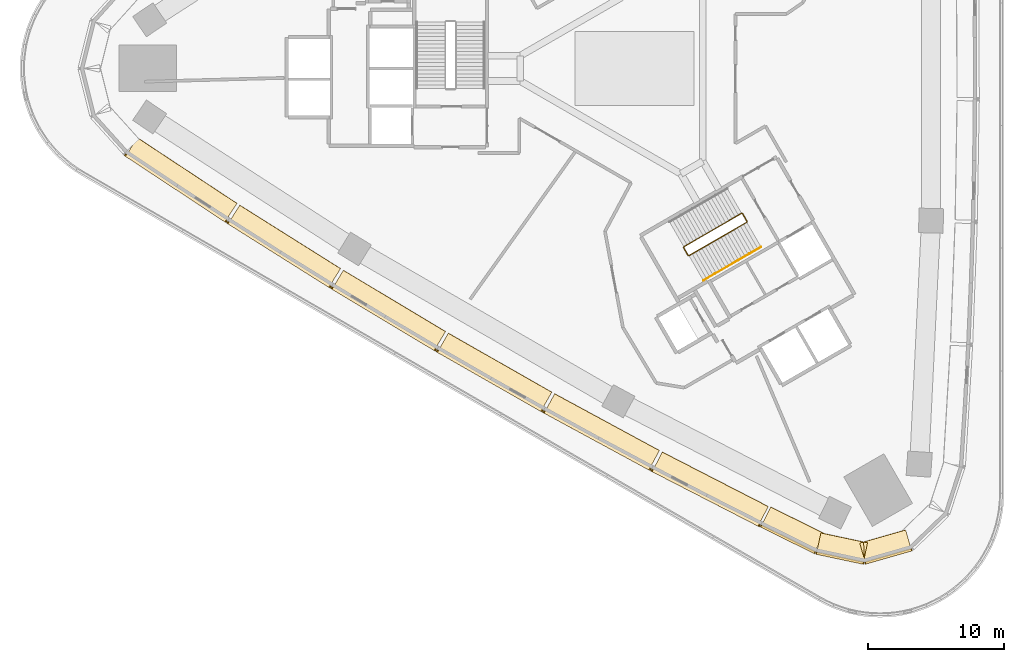
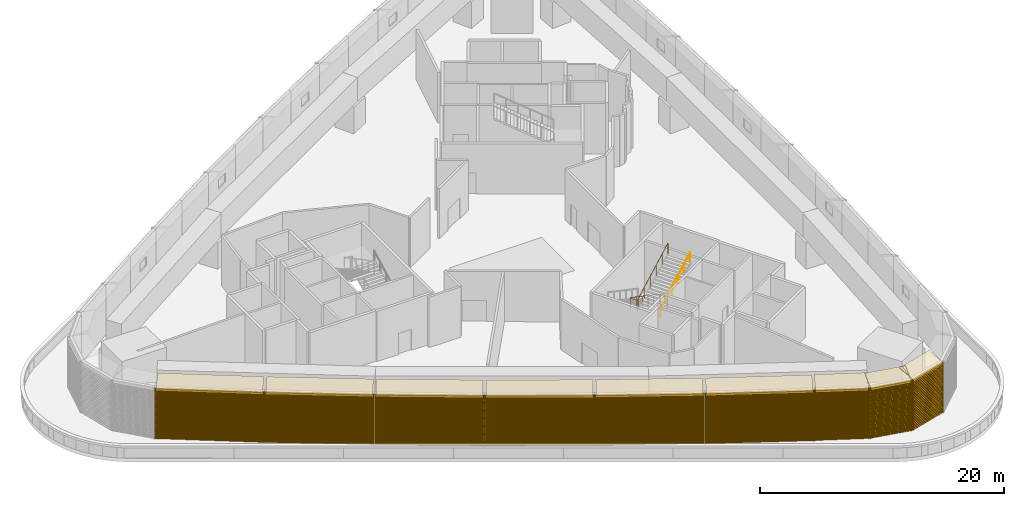
# One storey, part 8 of 11: 18 coverings, 2 railings.
"""IFC4 building model written with IfcOpenShell, lengths in metres."""

from ifc_helpers import new_model, si_unit, direction, frame, frame_2d, origin, origin_2d, place, context, subcontext, project, spatial, rectangle, circle, extrude, source, transform, mapped, material, layer, layer_set, type_object, element, save


model = new_model("IFC4")

# Units and contexts
model_context = context("Model", 3, precision=1e-05, world=origin(), true_north=direction((0.0, 1.0)))
body_context = subcontext(model_context, "Body", "Model", "MODEL_VIEW")
ifc_project = project(units=[si_unit("LENGTHUNIT", "METRE"), si_unit("AREAUNIT", "SQUARE_METRE"), si_unit("VOLUMEUNIT", "CUBIC_METRE"), si_unit("PLANEANGLEUNIT", "RADIAN"), si_unit("MASSUNIT", "GRAM", prefix="KILO")], contexts=[model_context])

# Site, building, storey
site_placement = place(None, origin())
site = spatial("IfcSite", under=ifc_project, at=site_placement, CompositionType="ELEMENT")
building_placement = place(site_placement, origin())
building = spatial("IfcBuilding", under=site, at=building_placement, Name="Tamra Quay Hotel Tower", CompositionType="ELEMENT")
storey_placement = place(building_placement, frame((0.0, 0.0, 29.5)))
storey = spatial("IfcBuildingStorey", under=building, at=storey_placement, Name="L05", CompositionType="ELEMENT", Elevation=29.5)

# Railings
ifc_material_1 = material(Name="Stair guard 1100")
railing_type_1 = type_object("IfcRailingType", Name="Stair guard 1100", PredefinedType="GUARDRAIL", material=ifc_material_1)
railing_1_placement = place(storey_placement, frame((8.245849609375, -11.221923828125, 0.0)))
element("IfcRailing", 1, at=railing_1_placement, inside=storey, type_object=railing_type_1, Name="GR", PredefinedType="GUARDRAIL", context=body_context, shape_type="SweptSolid", body=[
    extrude(circle(Radius=0.02392578125, at=origin_2d()), frame((0.0, 0.0, 1.076171875), z_axis=(-0.500043078269, 0.866000531106, 0.0), x_axis=(-0.866000531106, -0.500043078269, 0.0)), (0.0, 0.0, 1.0), 0.6591796875),
    extrude(circle(Radius=0.02392578125, at=origin_2d()), frame((-0.32958984375, 0.57080078125, 1.076171875), z_axis=(-0.424206393549, 0.113626712558, 0.898408540624), x_axis=(-0.258736085224, -0.965948051503, 0.0)), (0.0, 0.0, 1.0), 0.1611328125),
    extrude(circle(Radius=0.02392578125, at=origin_2d()), frame((-0.39794921875, 0.589111328125, 1.220703125), z_axis=(-0.764522017745, -0.441403942646, 0.469753811905), x_axis=(0.500005904428, -0.866021994834, 0.0)), (0.0, 0.0, 1.0), 5.5458984375),
    extrude(circle(Radius=0.02392578125, at=origin_2d()), frame((-4.637939453125, -1.85888671875, 3.826171875), z_axis=(-0.258736085224, -0.965948051503, 0.0), x_axis=(0.965948051503, -0.258736085224, 0.0)), (0.0, 0.0, 1.0), 0.07080078125),
    extrude(circle(Radius=0.02392578125, at=origin_2d()), frame((-4.65625, -1.92724609375, 3.826171875), z_axis=(0.500043078269, -0.866000531106, 0.0), x_axis=(0.866000531106, 0.500043078269, 0.0)), (0.0, 0.0, 1.0), 0.6591796875),
    extrude(circle(Radius=0.02392578125, at=origin_2d()), frame((-4.32666015625, -2.498046875, 3.826171875), z_axis=(0.423035241052, -0.112202895476, 0.899139419153), x_axis=(0.256368644879, 0.966579080015, 0.0)), (0.0, 0.0, 1.0), 0.1611328125),
    extrude(circle(Radius=0.02392578125, at=origin_2d()), frame((-4.258544921875, -2.51611328125, 3.970703125), z_axis=(0.764540308038, 0.441389087327, 0.46973800248), x_axis=(-0.499984312444, 0.866034460809, 0.0)), (0.0, 0.0, 1.0), 5.546142578125),
    extrude(circle(Radius=0.02099609375, at=origin_2d()), origin(), (0.0, 0.0, 1.0), 1.052001953125),
    extrude(circle(Radius=0.02099609375, at=origin_2d()), frame((-0.32958984375, 0.57080078125, 0.0)), (0.0, 0.0, 1.0), 1.052001953125),
    extrude(circle(Radius=0.02099609375, at=origin_2d()), frame((-0.39794921875, 0.589111328125, 0.144775390625)), (0.0, 0.0, 1.0), 1.052001953125),
    extrude(circle(Radius=0.02099609375, at=origin_2d()), frame((-1.245849609375, 0.099609375, 0.665771484375)), (0.0, 0.0, 1.0), 1.052001953125),
    extrude(circle(Radius=0.02099609375, at=origin_2d()), frame((-2.093994140625, -0.39013671875, 1.186767578125)), (0.0, 0.0, 1.0), 1.052001953125),
    extrude(circle(Radius=0.02099609375, at=origin_2d()), frame((-2.94189453125, -0.879638671875, 1.7080078125)), (0.0, 0.0, 1.0), 1.052001953125),
    extrude(circle(Radius=0.02099609375, at=origin_2d()), frame((-3.7900390625, -1.369384765625, 2.22900390625)), (0.0, 0.0, 1.0), 1.052001953125),
    extrude(circle(Radius=0.02099609375, at=origin_2d()), frame((-4.637939453125, -1.85888671875, 2.75)), (0.0, 0.0, 1.0), 1.052001953125),
    extrude(circle(Radius=0.02099609375, at=origin_2d()), frame((-4.65625, -1.92724609375, 2.75)), (0.0, 0.0, 1.0), 1.052001953125),
    extrude(circle(Radius=0.02099609375, at=origin_2d()), frame((-4.32666015625, -2.498046875, 2.75)), (0.0, 0.0, 1.0), 1.052001953125),
    extrude(circle(Radius=0.02099609375, at=origin_2d()), frame((-4.258544921875, -2.51611328125, 2.894775390625)), (0.0, 0.0, 1.0), 1.052001953125),
    extrude(circle(Radius=0.02099609375, at=origin_2d()), frame((-3.410400390625, -2.026611328125, 3.415771484375)), (0.0, 0.0, 1.0), 1.052001953125),
    extrude(circle(Radius=0.02099609375, at=origin_2d()), frame((-2.5625, -1.536865234375, 3.936767578125)), (0.0, 0.0, 1.0), 1.052001953125),
    extrude(circle(Radius=0.02099609375, at=origin_2d()), frame((-1.71435546875, -1.04736328125, 4.4580078125)), (0.0, 0.0, 1.0), 1.052001953125),
    extrude(circle(Radius=0.02099609375, at=origin_2d()), frame((-0.866455078125, -0.5576171875, 4.97900390625)), (0.0, 0.0, 1.0), 1.052001953125),
    extrude(circle(Radius=0.02099609375, at=origin_2d()), frame((-0.018310546875, -0.068115234375, 5.5)), (0.0, 0.0, 1.0), 1.052001953125),
])
ifc_material_2 = material(Name="Stair handrail 900")
railing_type_2 = type_object("IfcRailingType", Name="Stair handrail 900", PredefinedType="HANDRAIL", material=ifc_material_2)
railing_2_placement = place(storey_placement, frame((5.037353515625, -15.556884765625, 2.894775390625)))
element("IfcRailing", 2, at=railing_2_placement, inside=storey, type_object=railing_type_2, Name="HR", PredefinedType="HANDRAIL", context=body_context, shape_type="SweptSolid", body=[
    extrude(circle(Radius=0.02392578125, at=origin_2d()), frame((0.0, 0.0, 0.8759765625), z_axis=(0.764522017745, 0.441403942646, 0.469753811905), x_axis=(-0.500005904428, 0.866021994834, 0.0)), (0.0, 0.0, 1.0), 5.5458984375),
    extrude(circle(Radius=0.02099609375, at=origin_2d()), origin(), (0.0, 0.0, 1.0), 0.851806640625),
    extrude(circle(Radius=0.02099609375, at=origin_2d()), frame((0.847900390625, 0.489501953125, 0.52099609375)), (0.0, 0.0, 1.0), 0.851806640625),
    extrude(circle(Radius=0.02099609375, at=origin_2d()), frame((1.696044921875, 0.979248046875, 1.0419921875)), (0.0, 0.0, 1.0), 0.851806640625),
    extrude(circle(Radius=0.02099609375, at=origin_2d()), frame((2.5439453125, 1.46875, 1.563232421875)), (0.0, 0.0, 1.0), 0.851806640625),
    extrude(circle(Radius=0.02099609375, at=origin_2d()), frame((3.39208984375, 1.95849609375, 2.084228515625)), (0.0, 0.0, 1.0), 0.851806640625),
    extrude(circle(Radius=0.02099609375, at=origin_2d()), frame((4.239990234375, 2.447998046875, 2.605224609375)), (0.0, 0.0, 1.0), 0.851806640625),
])

# Coverings
ifc_material_3 = material(Name="Terracotta louvre panel", Category="masonry")
covering_type_1 = type_object("IfcCoveringType", Name="PLANT LOUVRE H5025", PredefinedType="USERDEFINED", material=ifc_material_3)
shared_shape_1 = source(origin(), body_context, "Body", "SweptSolid", [
    extrude(rectangle(XDim=8.97998046875, YDim=0.030029296875, at=frame_2d((4.489990234375, 0.01513671875))), frame((-4.489990234375, -0.030029296875, 0.0)), (0.0, 0.0, 1.0), 5.02490234375),
    extrude(rectangle(XDim=0.050048828125, YDim=0.139892578125, at=frame_2d((0.02490234375, 0.06982421875))), frame((-4.489990234375, -0.169921875, 0.0)), (0.0, 0.0, 1.0), 5.02490234375),
    extrude(rectangle(XDim=0.050048828125, YDim=0.139892578125, at=frame_2d((0.02490234375, 0.06982421875))), frame((4.43994140625, -0.169921875, 0.0)), (0.0, 0.0, 1.0), 5.02490234375),
    extrude(rectangle(XDim=8.8798828125, YDim=0.139892578125, at=frame_2d((4.43994140625, 0.06982421875))), frame((-4.43994140625, -0.169921875, 0.050048828125)), (0.0, 0.0, 1.0), 0.034912109375),
    extrude(rectangle(XDim=8.8798828125, YDim=0.139892578125, at=frame_2d((4.43994140625, 0.06982421875))), frame((-4.43994140625, -0.169921875, 0.2099609375)), (0.0, 0.0, 1.0), 0.034912109375),
    extrude(rectangle(XDim=8.8798828125, YDim=0.139892578125, at=frame_2d((4.43994140625, 0.06982421875))), frame((-4.43994140625, -0.169921875, 0.3701171875)), (0.0, 0.0, 1.0), 0.034912109375),
    extrude(rectangle(XDim=8.8798828125, YDim=0.139892578125, at=frame_2d((4.43994140625, 0.06982421875))), frame((-4.43994140625, -0.169921875, 0.530029296875)), (0.0, 0.0, 1.0), 0.034912109375),
    extrude(rectangle(XDim=8.8798828125, YDim=0.139892578125, at=frame_2d((4.43994140625, 0.06982421875))), frame((-4.43994140625, -0.169921875, 0.68994140625)), (0.0, 0.0, 1.0), 0.034912109375),
    extrude(rectangle(XDim=8.8798828125, YDim=0.139892578125, at=frame_2d((4.43994140625, 0.06982421875))), frame((-4.43994140625, -0.169921875, 0.85009765625)), (0.0, 0.0, 1.0), 0.034912109375),
    extrude(rectangle(XDim=8.8798828125, YDim=0.139892578125, at=frame_2d((4.43994140625, 0.06982421875))), frame((-4.43994140625, -0.169921875, 1.010009765625)), (0.0, 0.0, 1.0), 0.034912109375),
    extrude(rectangle(XDim=8.8798828125, YDim=0.139892578125, at=frame_2d((4.43994140625, 0.06982421875))), frame((-4.43994140625, -0.169921875, 1.169921875)), (0.0, 0.0, 1.0), 0.034912109375),
    extrude(rectangle(XDim=8.8798828125, YDim=0.139892578125, at=frame_2d((4.43994140625, 0.06982421875))), frame((-4.43994140625, -0.169921875, 1.330078125)), (0.0, 0.0, 1.0), 0.034912109375),
    extrude(rectangle(XDim=8.8798828125, YDim=0.139892578125, at=frame_2d((4.43994140625, 0.06982421875))), frame((-4.43994140625, -0.169921875, 1.489990234375)), (0.0, 0.0, 1.0), 0.034912109375),
    extrude(rectangle(XDim=8.8798828125, YDim=0.139892578125, at=frame_2d((4.43994140625, 0.06982421875))), frame((-4.43994140625, -0.169921875, 1.64990234375)), (0.0, 0.0, 1.0), 0.034912109375),
    extrude(rectangle(XDim=8.8798828125, YDim=0.139892578125, at=frame_2d((4.43994140625, 0.06982421875))), frame((-4.43994140625, -0.169921875, 1.81005859375)), (0.0, 0.0, 1.0), 0.034912109375),
    extrude(rectangle(XDim=8.8798828125, YDim=0.139892578125, at=frame_2d((4.43994140625, 0.06982421875))), frame((-4.43994140625, -0.169921875, 1.969970703125)), (0.0, 0.0, 1.0), 0.034912109375),
    extrude(rectangle(XDim=8.8798828125, YDim=0.139892578125, at=frame_2d((4.43994140625, 0.06982421875))), frame((-4.43994140625, -0.169921875, 2.1298828125)), (0.0, 0.0, 1.0), 0.034912109375),
    extrude(rectangle(XDim=8.8798828125, YDim=0.139892578125, at=frame_2d((4.43994140625, 0.06982421875))), frame((-4.43994140625, -0.169921875, 2.2900390625)), (0.0, 0.0, 1.0), 0.034912109375),
    extrude(rectangle(XDim=8.8798828125, YDim=0.139892578125, at=frame_2d((4.43994140625, 0.06982421875))), frame((-4.43994140625, -0.169921875, 2.449951171875)), (0.0, 0.0, 1.0), 0.034912109375),
    extrude(rectangle(XDim=8.8798828125, YDim=0.139892578125, at=frame_2d((4.43994140625, 0.06982421875))), frame((-4.43994140625, -0.169921875, 2.610107421875)), (0.0, 0.0, 1.0), 0.034912109375),
    extrude(rectangle(XDim=8.8798828125, YDim=0.139892578125, at=frame_2d((4.43994140625, 0.06982421875))), frame((-4.43994140625, -0.169921875, 2.77001953125)), (0.0, 0.0, 1.0), 0.034912109375),
    extrude(rectangle(XDim=8.8798828125, YDim=0.139892578125, at=frame_2d((4.43994140625, 0.06982421875))), frame((-4.43994140625, -0.169921875, 2.929931640625)), (0.0, 0.0, 1.0), 0.034912109375),
    extrude(rectangle(XDim=8.8798828125, YDim=0.139892578125, at=frame_2d((4.43994140625, 0.06982421875))), frame((-4.43994140625, -0.169921875, 3.090087890625)), (0.0, 0.0, 1.0), 0.034912109375),
    extrude(rectangle(XDim=8.8798828125, YDim=0.139892578125, at=frame_2d((4.43994140625, 0.06982421875))), frame((-4.43994140625, -0.169921875, 3.25)), (0.0, 0.0, 1.0), 0.034912109375),
    extrude(rectangle(XDim=8.8798828125, YDim=0.139892578125, at=frame_2d((4.43994140625, 0.06982421875))), frame((-4.43994140625, -0.169921875, 3.409912109375)), (0.0, 0.0, 1.0), 0.034912109375),
    extrude(rectangle(XDim=8.8798828125, YDim=0.139892578125, at=frame_2d((4.43994140625, 0.06982421875))), frame((-4.43994140625, -0.169921875, 3.570068359375)), (0.0, 0.0, 1.0), 0.034912109375),
    extrude(rectangle(XDim=8.8798828125, YDim=0.139892578125, at=frame_2d((4.43994140625, 0.06982421875))), frame((-4.43994140625, -0.169921875, 3.72998046875)), (0.0, 0.0, 1.0), 0.034912109375),
    extrude(rectangle(XDim=8.8798828125, YDim=0.139892578125, at=frame_2d((4.43994140625, 0.06982421875))), frame((-4.43994140625, -0.169921875, 3.889892578125)), (0.0, 0.0, 1.0), 0.034912109375),
    extrude(rectangle(XDim=8.8798828125, YDim=0.139892578125, at=frame_2d((4.43994140625, 0.06982421875))), frame((-4.43994140625, -0.169921875, 4.050048828125)), (0.0, 0.0, 1.0), 0.034912109375),
    extrude(rectangle(XDim=8.8798828125, YDim=0.139892578125, at=frame_2d((4.43994140625, 0.06982421875))), frame((-4.43994140625, -0.169921875, 4.2099609375)), (0.0, 0.0, 1.0), 0.034912109375),
    extrude(rectangle(XDim=8.8798828125, YDim=0.139892578125, at=frame_2d((4.43994140625, 0.06982421875))), frame((-4.43994140625, -0.169921875, 4.3701171875)), (0.0, 0.0, 1.0), 0.034912109375),
    extrude(rectangle(XDim=8.8798828125, YDim=0.139892578125, at=frame_2d((4.43994140625, 0.06982421875))), frame((-4.43994140625, -0.169921875, 4.530029296875)), (0.0, 0.0, 1.0), 0.034912109375),
    extrude(rectangle(XDim=8.8798828125, YDim=0.139892578125, at=frame_2d((4.43994140625, 0.06982421875))), frame((-4.43994140625, -0.169921875, 4.68994140625)), (0.0, 0.0, 1.0), 0.034912109375),
])
for number, where, z_axis, x_axis, name in (
    (3, (-33.6259765625, -8.71826171875, 0.0), (0.0, 0.0, 1.0), (0.834776135542, -0.550589505466, 0.0), "Plant louvre L05.SW.f00"),
    (4, (-26.052490234375, -13.596923828125, 0.0), (0.0, 0.0, 1.0), (0.846463552946, -0.532446667315, 0.0), "Plant louvre L05.SW.f02"),
    (5, (-18.374755859375, -18.311279296875, 0.0), (0.0, 0.0, 1.0), (0.857787141825, -0.514005077134, 0.0), "Plant louvre L05.SW.f04"),
    (6, (-10.5966796875, -22.8583984375, 0.0), (0.0, 0.0, 1.0), (0.868721581361, -0.495300730948, 0.0), "Plant louvre L05.SW.f06"),
    (7, (-2.721923828125, -27.23583984375, 0.0), (0.0, 0.0, 1.0), (0.879240730152, -0.476377726643, 0.0), "Plant louvre L05.SW.f08"),
    (8, (5.24658203125, -31.4423828125, 0.0), (0.0, 0.0, 1.0), (0.889336658758, -0.45725300151, 0.0), "Plant louvre L05.SW.f10"),
):
    element("IfcCovering", number, at=place(storey_placement, frame(where, z_axis=z_axis, x_axis=x_axis)), inside=storey, type_object=covering_type_1, Name=name, ObjectType="LOUVER", PredefinedType="USERDEFINED", context=body_context, shape_type="MappedRepresentation", body=[
        mapped(shared_shape_1, transform((0.0, 0.0, 0.0), scale=1.0)),
    ])
shared_shape_2 = source(origin(), body_context, "Body", "SweptSolid", [
    extrude(rectangle(XDim=4.47998046875, YDim=0.030029296875, at=frame_2d((2.239990234375, 0.01513671875))), frame((-2.239990234375, -0.030029296875, 0.0)), (0.0, 0.0, 1.0), 5.02490234375),
    extrude(rectangle(XDim=0.050048828125, YDim=0.139892578125, at=frame_2d((0.02490234375, 0.06982421875))), frame((-2.239990234375, -0.169921875, 0.0)), (0.0, 0.0, 1.0), 5.02490234375),
    extrude(rectangle(XDim=0.050048828125, YDim=0.139892578125, at=frame_2d((0.02490234375, 0.06982421875))), frame((2.18994140625, -0.169921875, 0.0)), (0.0, 0.0, 1.0), 5.02490234375),
    extrude(rectangle(XDim=4.3798828125, YDim=0.139892578125, at=frame_2d((2.18994140625, 0.06982421875))), frame((-2.18994140625, -0.169921875, 0.050048828125)), (0.0, 0.0, 1.0), 0.034912109375),
    extrude(rectangle(XDim=4.3798828125, YDim=0.139892578125, at=frame_2d((2.18994140625, 0.06982421875))), frame((-2.18994140625, -0.169921875, 0.2099609375)), (0.0, 0.0, 1.0), 0.034912109375),
    extrude(rectangle(XDim=4.3798828125, YDim=0.139892578125, at=frame_2d((2.18994140625, 0.06982421875))), frame((-2.18994140625, -0.169921875, 0.3701171875)), (0.0, 0.0, 1.0), 0.034912109375),
    extrude(rectangle(XDim=4.3798828125, YDim=0.139892578125, at=frame_2d((2.18994140625, 0.06982421875))), frame((-2.18994140625, -0.169921875, 0.530029296875)), (0.0, 0.0, 1.0), 0.034912109375),
    extrude(rectangle(XDim=4.3798828125, YDim=0.139892578125, at=frame_2d((2.18994140625, 0.06982421875))), frame((-2.18994140625, -0.169921875, 0.68994140625)), (0.0, 0.0, 1.0), 0.034912109375),
    extrude(rectangle(XDim=4.3798828125, YDim=0.139892578125, at=frame_2d((2.18994140625, 0.06982421875))), frame((-2.18994140625, -0.169921875, 0.85009765625)), (0.0, 0.0, 1.0), 0.034912109375),
    extrude(rectangle(XDim=4.3798828125, YDim=0.139892578125, at=frame_2d((2.18994140625, 0.06982421875))), frame((-2.18994140625, -0.169921875, 1.010009765625)), (0.0, 0.0, 1.0), 0.034912109375),
    extrude(rectangle(XDim=4.3798828125, YDim=0.139892578125, at=frame_2d((2.18994140625, 0.06982421875))), frame((-2.18994140625, -0.169921875, 1.169921875)), (0.0, 0.0, 1.0), 0.034912109375),
    extrude(rectangle(XDim=4.3798828125, YDim=0.139892578125, at=frame_2d((2.18994140625, 0.06982421875))), frame((-2.18994140625, -0.169921875, 1.330078125)), (0.0, 0.0, 1.0), 0.034912109375),
    extrude(rectangle(XDim=4.3798828125, YDim=0.139892578125, at=frame_2d((2.18994140625, 0.06982421875))), frame((-2.18994140625, -0.169921875, 1.489990234375)), (0.0, 0.0, 1.0), 0.034912109375),
    extrude(rectangle(XDim=4.3798828125, YDim=0.139892578125, at=frame_2d((2.18994140625, 0.06982421875))), frame((-2.18994140625, -0.169921875, 1.64990234375)), (0.0, 0.0, 1.0), 0.034912109375),
    extrude(rectangle(XDim=4.3798828125, YDim=0.139892578125, at=frame_2d((2.18994140625, 0.06982421875))), frame((-2.18994140625, -0.169921875, 1.81005859375)), (0.0, 0.0, 1.0), 0.034912109375),
    extrude(rectangle(XDim=4.3798828125, YDim=0.139892578125, at=frame_2d((2.18994140625, 0.06982421875))), frame((-2.18994140625, -0.169921875, 1.969970703125)), (0.0, 0.0, 1.0), 0.034912109375),
    extrude(rectangle(XDim=4.3798828125, YDim=0.139892578125, at=frame_2d((2.18994140625, 0.06982421875))), frame((-2.18994140625, -0.169921875, 2.1298828125)), (0.0, 0.0, 1.0), 0.034912109375),
    extrude(rectangle(XDim=4.3798828125, YDim=0.139892578125, at=frame_2d((2.18994140625, 0.06982421875))), frame((-2.18994140625, -0.169921875, 2.2900390625)), (0.0, 0.0, 1.0), 0.034912109375),
    extrude(rectangle(XDim=4.3798828125, YDim=0.139892578125, at=frame_2d((2.18994140625, 0.06982421875))), frame((-2.18994140625, -0.169921875, 2.449951171875)), (0.0, 0.0, 1.0), 0.034912109375),
    extrude(rectangle(XDim=4.3798828125, YDim=0.139892578125, at=frame_2d((2.18994140625, 0.06982421875))), frame((-2.18994140625, -0.169921875, 2.610107421875)), (0.0, 0.0, 1.0), 0.034912109375),
    extrude(rectangle(XDim=4.3798828125, YDim=0.139892578125, at=frame_2d((2.18994140625, 0.06982421875))), frame((-2.18994140625, -0.169921875, 2.77001953125)), (0.0, 0.0, 1.0), 0.034912109375),
    extrude(rectangle(XDim=4.3798828125, YDim=0.139892578125, at=frame_2d((2.18994140625, 0.06982421875))), frame((-2.18994140625, -0.169921875, 2.929931640625)), (0.0, 0.0, 1.0), 0.034912109375),
    extrude(rectangle(XDim=4.3798828125, YDim=0.139892578125, at=frame_2d((2.18994140625, 0.06982421875))), frame((-2.18994140625, -0.169921875, 3.090087890625)), (0.0, 0.0, 1.0), 0.034912109375),
    extrude(rectangle(XDim=4.3798828125, YDim=0.139892578125, at=frame_2d((2.18994140625, 0.06982421875))), frame((-2.18994140625, -0.169921875, 3.25)), (0.0, 0.0, 1.0), 0.034912109375),
    extrude(rectangle(XDim=4.3798828125, YDim=0.139892578125, at=frame_2d((2.18994140625, 0.06982421875))), frame((-2.18994140625, -0.169921875, 3.409912109375)), (0.0, 0.0, 1.0), 0.034912109375),
    extrude(rectangle(XDim=4.3798828125, YDim=0.139892578125, at=frame_2d((2.18994140625, 0.06982421875))), frame((-2.18994140625, -0.169921875, 3.570068359375)), (0.0, 0.0, 1.0), 0.034912109375),
    extrude(rectangle(XDim=4.3798828125, YDim=0.139892578125, at=frame_2d((2.18994140625, 0.06982421875))), frame((-2.18994140625, -0.169921875, 3.72998046875)), (0.0, 0.0, 1.0), 0.034912109375),
    extrude(rectangle(XDim=4.3798828125, YDim=0.139892578125, at=frame_2d((2.18994140625, 0.06982421875))), frame((-2.18994140625, -0.169921875, 3.889892578125)), (0.0, 0.0, 1.0), 0.034912109375),
    extrude(rectangle(XDim=4.3798828125, YDim=0.139892578125, at=frame_2d((2.18994140625, 0.06982421875))), frame((-2.18994140625, -0.169921875, 4.050048828125)), (0.0, 0.0, 1.0), 0.034912109375),
    extrude(rectangle(XDim=4.3798828125, YDim=0.139892578125, at=frame_2d((2.18994140625, 0.06982421875))), frame((-2.18994140625, -0.169921875, 4.2099609375)), (0.0, 0.0, 1.0), 0.034912109375),
    extrude(rectangle(XDim=4.3798828125, YDim=0.139892578125, at=frame_2d((2.18994140625, 0.06982421875))), frame((-2.18994140625, -0.169921875, 4.3701171875)), (0.0, 0.0, 1.0), 0.034912109375),
    extrude(rectangle(XDim=4.3798828125, YDim=0.139892578125, at=frame_2d((2.18994140625, 0.06982421875))), frame((-2.18994140625, -0.169921875, 4.530029296875)), (0.0, 0.0, 1.0), 0.034912109375),
    extrude(rectangle(XDim=4.3798828125, YDim=0.139892578125, at=frame_2d((2.18994140625, 0.06982421875))), frame((-2.18994140625, -0.169921875, 4.68994140625)), (0.0, 0.0, 1.0), 0.034912109375),
])
covering_1_placement = place(storey_placement, frame((11.283203125, -34.477783203125, 0.0), z_axis=(0.0, 0.0, 1.0), x_axis=(0.89661103193, -0.442818989455, 0.0)))
element("IfcCovering", 9, at=covering_1_placement, inside=storey, type_object=covering_type_1, Name="Plant louvre L05.SW.f12", ObjectType="LOUVER", PredefinedType="USERDEFINED", context=body_context, shape_type="MappedRepresentation", body=[
    mapped(shared_shape_2, transform((0.0, 0.0, 0.0), scale=1.0)),
])
shared_shape_3 = source(origin(), body_context, "Body", "SweptSolid", [
    extrude(rectangle(XDim=3.60009765625, YDim=0.030029296875, at=frame_2d((1.800048828125, 0.01513671875))), frame((-1.800048828125, -0.030029296875, 0.0)), (0.0, 0.0, 1.0), 5.02490234375),
    extrude(rectangle(XDim=0.050048828125, YDim=0.139892578125, at=frame_2d((0.02490234375, 0.06982421875))), frame((-1.800048828125, -0.169921875, 0.0)), (0.0, 0.0, 1.0), 5.02490234375),
    extrude(rectangle(XDim=0.050048828125, YDim=0.139892578125, at=frame_2d((0.02490234375, 0.06982421875))), frame((1.75, -0.169921875, 0.0)), (0.0, 0.0, 1.0), 5.02490234375),
    extrude(rectangle(XDim=3.5, YDim=0.139892578125, at=frame_2d((1.75, 0.06982421875))), frame((-1.75, -0.169921875, 0.050048828125)), (0.0, 0.0, 1.0), 0.034912109375),
    extrude(rectangle(XDim=3.5, YDim=0.139892578125, at=frame_2d((1.75, 0.06982421875))), frame((-1.75, -0.169921875, 0.2099609375)), (0.0, 0.0, 1.0), 0.034912109375),
    extrude(rectangle(XDim=3.5, YDim=0.139892578125, at=frame_2d((1.75, 0.06982421875))), frame((-1.75, -0.169921875, 0.3701171875)), (0.0, 0.0, 1.0), 0.034912109375),
    extrude(rectangle(XDim=3.5, YDim=0.139892578125, at=frame_2d((1.75, 0.06982421875))), frame((-1.75, -0.169921875, 0.530029296875)), (0.0, 0.0, 1.0), 0.034912109375),
    extrude(rectangle(XDim=3.5, YDim=0.139892578125, at=frame_2d((1.75, 0.06982421875))), frame((-1.75, -0.169921875, 0.68994140625)), (0.0, 0.0, 1.0), 0.034912109375),
    extrude(rectangle(XDim=3.5, YDim=0.139892578125, at=frame_2d((1.75, 0.06982421875))), frame((-1.75, -0.169921875, 0.85009765625)), (0.0, 0.0, 1.0), 0.034912109375),
    extrude(rectangle(XDim=3.5, YDim=0.139892578125, at=frame_2d((1.75, 0.06982421875))), frame((-1.75, -0.169921875, 1.010009765625)), (0.0, 0.0, 1.0), 0.034912109375),
    extrude(rectangle(XDim=3.5, YDim=0.139892578125, at=frame_2d((1.75, 0.06982421875))), frame((-1.75, -0.169921875, 1.169921875)), (0.0, 0.0, 1.0), 0.034912109375),
    extrude(rectangle(XDim=3.5, YDim=0.139892578125, at=frame_2d((1.75, 0.06982421875))), frame((-1.75, -0.169921875, 1.330078125)), (0.0, 0.0, 1.0), 0.034912109375),
    extrude(rectangle(XDim=3.5, YDim=0.139892578125, at=frame_2d((1.75, 0.06982421875))), frame((-1.75, -0.169921875, 1.489990234375)), (0.0, 0.0, 1.0), 0.034912109375),
    extrude(rectangle(XDim=3.5, YDim=0.139892578125, at=frame_2d((1.75, 0.06982421875))), frame((-1.75, -0.169921875, 1.64990234375)), (0.0, 0.0, 1.0), 0.034912109375),
    extrude(rectangle(XDim=3.5, YDim=0.139892578125, at=frame_2d((1.75, 0.06982421875))), frame((-1.75, -0.169921875, 1.81005859375)), (0.0, 0.0, 1.0), 0.034912109375),
    extrude(rectangle(XDim=3.5, YDim=0.139892578125, at=frame_2d((1.75, 0.06982421875))), frame((-1.75, -0.169921875, 1.969970703125)), (0.0, 0.0, 1.0), 0.034912109375),
    extrude(rectangle(XDim=3.5, YDim=0.139892578125, at=frame_2d((1.75, 0.06982421875))), frame((-1.75, -0.169921875, 2.1298828125)), (0.0, 0.0, 1.0), 0.034912109375),
    extrude(rectangle(XDim=3.5, YDim=0.139892578125, at=frame_2d((1.75, 0.06982421875))), frame((-1.75, -0.169921875, 2.2900390625)), (0.0, 0.0, 1.0), 0.034912109375),
    extrude(rectangle(XDim=3.5, YDim=0.139892578125, at=frame_2d((1.75, 0.06982421875))), frame((-1.75, -0.169921875, 2.449951171875)), (0.0, 0.0, 1.0), 0.034912109375),
    extrude(rectangle(XDim=3.5, YDim=0.139892578125, at=frame_2d((1.75, 0.06982421875))), frame((-1.75, -0.169921875, 2.610107421875)), (0.0, 0.0, 1.0), 0.034912109375),
    extrude(rectangle(XDim=3.5, YDim=0.139892578125, at=frame_2d((1.75, 0.06982421875))), frame((-1.75, -0.169921875, 2.77001953125)), (0.0, 0.0, 1.0), 0.034912109375),
    extrude(rectangle(XDim=3.5, YDim=0.139892578125, at=frame_2d((1.75, 0.06982421875))), frame((-1.75, -0.169921875, 2.929931640625)), (0.0, 0.0, 1.0), 0.034912109375),
    extrude(rectangle(XDim=3.5, YDim=0.139892578125, at=frame_2d((1.75, 0.06982421875))), frame((-1.75, -0.169921875, 3.090087890625)), (0.0, 0.0, 1.0), 0.034912109375),
    extrude(rectangle(XDim=3.5, YDim=0.139892578125, at=frame_2d((1.75, 0.06982421875))), frame((-1.75, -0.169921875, 3.25)), (0.0, 0.0, 1.0), 0.034912109375),
    extrude(rectangle(XDim=3.5, YDim=0.139892578125, at=frame_2d((1.75, 0.06982421875))), frame((-1.75, -0.169921875, 3.409912109375)), (0.0, 0.0, 1.0), 0.034912109375),
    extrude(rectangle(XDim=3.5, YDim=0.139892578125, at=frame_2d((1.75, 0.06982421875))), frame((-1.75, -0.169921875, 3.570068359375)), (0.0, 0.0, 1.0), 0.034912109375),
    extrude(rectangle(XDim=3.5, YDim=0.139892578125, at=frame_2d((1.75, 0.06982421875))), frame((-1.75, -0.169921875, 3.72998046875)), (0.0, 0.0, 1.0), 0.034912109375),
    extrude(rectangle(XDim=3.5, YDim=0.139892578125, at=frame_2d((1.75, 0.06982421875))), frame((-1.75, -0.169921875, 3.889892578125)), (0.0, 0.0, 1.0), 0.034912109375),
    extrude(rectangle(XDim=3.5, YDim=0.139892578125, at=frame_2d((1.75, 0.06982421875))), frame((-1.75, -0.169921875, 4.050048828125)), (0.0, 0.0, 1.0), 0.034912109375),
    extrude(rectangle(XDim=3.5, YDim=0.139892578125, at=frame_2d((1.75, 0.06982421875))), frame((-1.75, -0.169921875, 4.2099609375)), (0.0, 0.0, 1.0), 0.034912109375),
    extrude(rectangle(XDim=3.5, YDim=0.139892578125, at=frame_2d((1.75, 0.06982421875))), frame((-1.75, -0.169921875, 4.3701171875)), (0.0, 0.0, 1.0), 0.034912109375),
    extrude(rectangle(XDim=3.5, YDim=0.139892578125, at=frame_2d((1.75, 0.06982421875))), frame((-1.75, -0.169921875, 4.530029296875)), (0.0, 0.0, 1.0), 0.034912109375),
    extrude(rectangle(XDim=3.5, YDim=0.139892578125, at=frame_2d((1.75, 0.06982421875))), frame((-1.75, -0.169921875, 4.68994140625)), (0.0, 0.0, 1.0), 0.034912109375),
])
for number, where, z_axis, x_axis, name in (
    (10, (15.07666015625, -35.85205078125, 0.0), (0.0, 0.0, 1.0), (0.978152750379, -0.207887462165, 0.0), "Plant louvre L05.SW.c00"),
    (11, (18.595458984375, -35.72900390625, 0.0), (0.0, 0.0, 1.0), (0.96125942007, 0.275645292589, 0.0), "Plant louvre L05.SW.c01"),
):
    element("IfcCovering", number, at=place(storey_placement, frame(where, z_axis=z_axis, x_axis=x_axis)), inside=storey, type_object=covering_type_1, Name=name, ObjectType="LOUVER", PredefinedType="USERDEFINED", context=body_context, shape_type="MappedRepresentation", body=[
        mapped(shared_shape_3, transform((0.0, 0.0, 0.0), scale=1.0)),
    ])
ifc_material_4 = material(Name="Precast concrete M60 terracotta-coloured pierced relief", Category="masonry")
ifc_layer = layer(ifc_material_4, 0.06005859375)
ifc_layer_set = layer_set([ifc_layer], Name="RAKED RELIEF CAP 60")
covering_type_2 = type_object("IfcCoveringType", Name="RAKED RELIEF CAP 60", PredefinedType="CLADDING", material=ifc_layer_set)
shared_shape_4 = source(origin(), body_context, "Body", "SweptSolid", [
    extrude(rectangle(XDim=8.739990234375, YDim=1.68994140625, at=frame_2d((4.3701171875, 0.844970703125))), frame((-4.3701171875, 0.0, -0.06005859375)), (0.0, 0.0, 1.0), 0.06005859375),
])
for number, where, z_axis, x_axis, name in (
    (12, (-33.719482421875, -8.860107421875, 5.02490234375), (-0.154762713364, -0.234643447624, 0.959682736658), (0.834776135542, -0.550589505466, 0.0), "Raked relief cap L05.1"),
    (13, (-26.14306640625, -13.740966796875, 5.02490234375), (-0.14967194332, -0.23794278882, 0.959677830645), (0.846463552946, -0.532446667315, 0.0), "Raked relief cap L05.3"),
    (14, (-18.462158203125, -18.457275390625, 5.02490234375), (-0.144487971272, -0.241125874859, 0.959677830645), (0.857787141825, -0.514005077134, 0.0), "Raked relief cap L05.5"),
    (15, (-10.680908203125, -23.006103515625, 5.02490234375), (-0.139230137927, -0.24419957015, 0.959677830645), (0.868721581361, -0.495300730948, 0.0), "Raked relief cap L05.7"),
    (16, (-2.802978515625, -27.38525390625, 5.02490234375), (-0.133910839297, -0.247156526289, 0.959677830645), (0.879240730152, -0.476377726643, 0.0), "Raked relief cap L05.9"),
    (17, (5.168701171875, -31.593505859375, 5.02490234375), (-0.128527177697, -0.249979618276, 0.959682736658), (0.889336658758, -0.45725300151, 0.0), "Raked relief cap L05.11"),
):
    element("IfcCovering", number, at=place(storey_placement, frame(where, z_axis=z_axis, x_axis=x_axis)), inside=storey, type_object=covering_type_2, Name=name, PredefinedType="CLADDING", context=body_context, shape_type="MappedRepresentation", body=[
        mapped(shared_shape_4, transform((0.0, 0.0, 0.0), scale=1.0)),
    ])
shared_shape_5 = source(origin(), body_context, "Body", "SweptSolid", [
    extrude(rectangle(XDim=4.360107421875, YDim=1.712890625, at=frame_2d((2.18017578125, 0.8564453125))), frame((-2.179931640625, 0.0, -0.06005859375)), (0.0, 0.0, 1.0), 0.06005859375),
])
covering_2_placement = place(storey_placement, frame((11.207763671875, -34.630126953125, 5.02490234375), z_axis=(-0.122777917792, -0.248598271961, 0.960793673002), x_axis=(0.89661103193, -0.442818989455, 0.0)))
element("IfcCovering", 18, at=covering_2_placement, inside=storey, type_object=covering_type_2, Name="Raked relief cap L05.13", PredefinedType="CLADDING", context=body_context, shape_type="MappedRepresentation", body=[
    mapped(shared_shape_5, transform((0.0, 0.0, 0.0), scale=1.0)),
])
shared_shape_6 = source(origin(), body_context, "Body", "SweptSolid", [
    extrude(rectangle(XDim=3.5, YDim=1.6708984375, at=frame_2d((1.75, 0.83544921875))), frame((-1.75, 0.0, -0.06005859375)), (0.0, 0.0, 1.0), 0.06005859375),
])
for number, where, z_axis, x_axis, name in (
    (19, (15.041259765625, -36.018310546875, 5.02490234375), (-0.05909193214, -0.278039547677, 0.958750308205), (0.978152750379, -0.207887462165, 0.0), "Raked relief cap L05.1"),
    (20, (18.642333984375, -35.892578125, 5.02490234375), (0.078352069696, -0.273237624955, 0.958750308205), (0.96125942007, 0.275645292589, 0.0), "Raked relief cap L05.2"),
):
    element("IfcCovering", number, at=place(storey_placement, frame(where, z_axis=z_axis, x_axis=x_axis)), inside=storey, type_object=covering_type_2, Name=name, PredefinedType="CLADDING", context=body_context, shape_type="MappedRepresentation", body=[
        mapped(shared_shape_6, transform((0.0, 0.0, 0.0), scale=1.0)),
    ])

save(model, "model.ifc")
